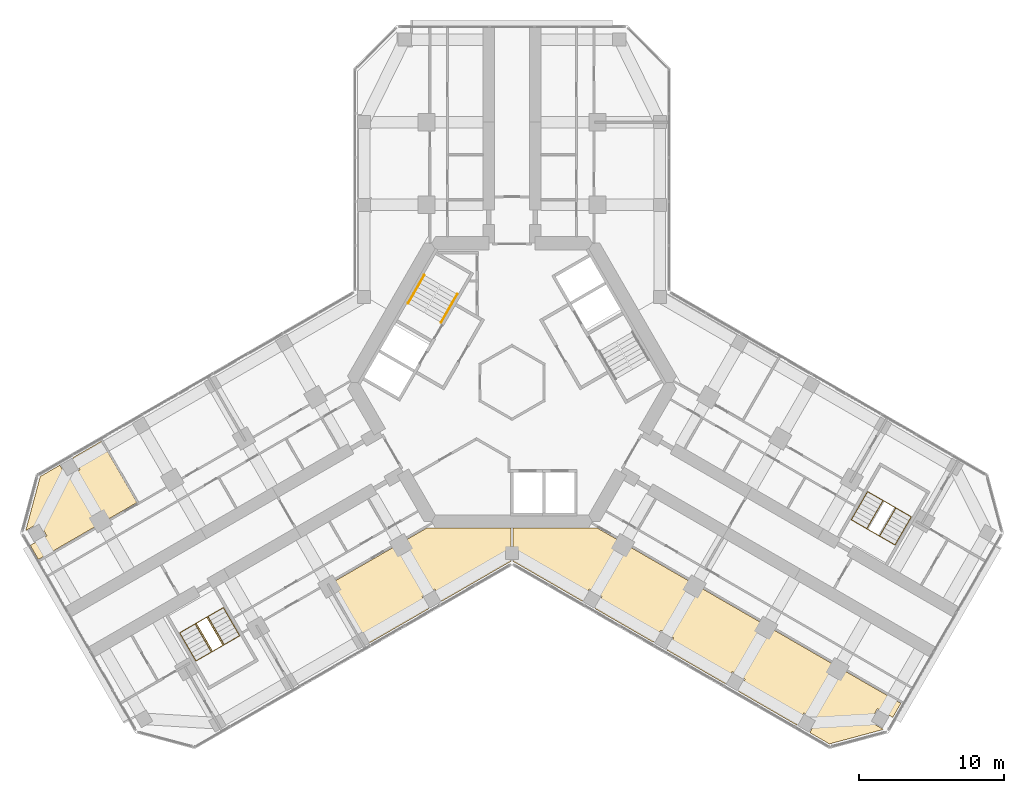
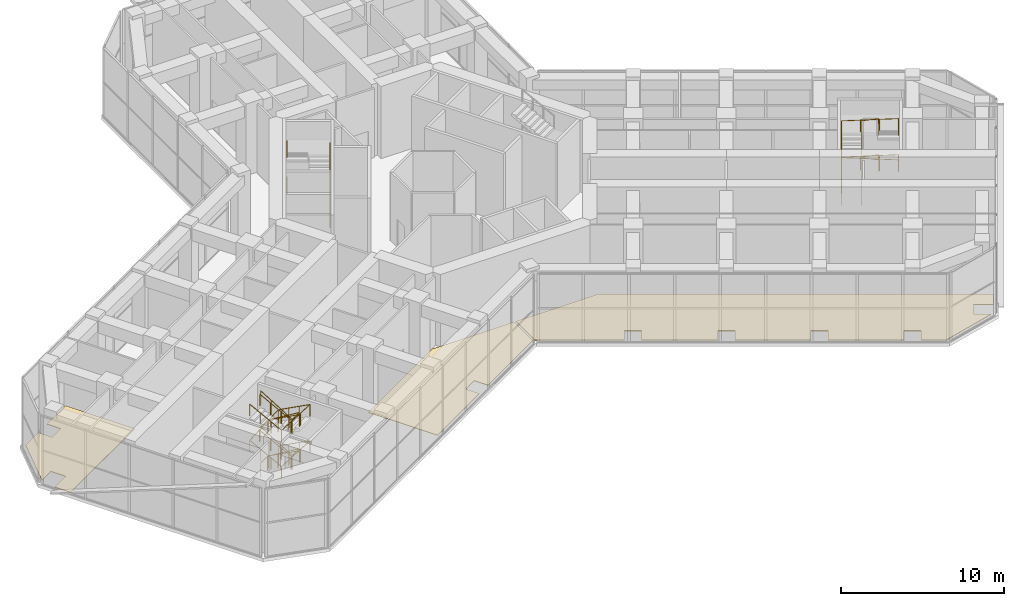
# One storey, part 19 of 20: 9 railings, 3 coverings.
"""IFC4 building model written with IfcOpenShell, lengths in metres."""

import ifcopenshell
import ifcopenshell.guid

model = None  # the IFC model being written
_history = None  # IfcOwnerHistory: only IFC2X3 demands one
_inside = {}  # id of a spatial element -> (the spatial element, [elements in it])
_under = {}  # id of a project, library or spatial element -> (it, [spatial elements below it])
_declared = {}  # id of a project -> (the project, [libraries it declares])
_typed = {}  # id of a type object -> (the type object, [elements of that type])
_made_of = {}  # id of a material, layer set ... -> (it, [elements and type objects made of it])


def new_model(schema):
    """Start an empty IFC model of exactly this schema.

    Asked for "IFC4X3", IfcOpenShell would pick the latest addendum, in which some entities
    have other attributes; the version numbers below select the first issue.
    IFC2X3 requires an IfcOwnerHistory on every rooted entity: one is made here for all.
    """
    global model, _history
    if schema == "IFC4X3":
        model = ifcopenshell.file(schema_version=(4, 3, 0, 0))
    else:
        model = ifcopenshell.file(schema=schema)
    _inside.clear()
    _under.clear()
    _declared.clear()
    _typed.clear()
    _made_of.clear()
    _history = None
    if model.schema == "IFC2X3":
        org = make("IfcOrganization", Name="unknown")
        user = make(
            "IfcPersonAndOrganization",
            ThePerson=make("IfcPerson", FamilyName="unknown"),
            TheOrganization=org,
        )
        app = make(
            "IfcApplication",
            ApplicationDeveloper=org,
            Version="unknown",
            ApplicationFullName="unknown",
            ApplicationIdentifier="unknown",
        )
        _history = make(
            "IfcOwnerHistory",
            OwningUser=user,
            OwningApplication=app,
            ChangeAction="ADDED",
            CreationDate=0,
        )
    return model


def make(cls, **values):
    """One entity of the class cls with the attributes given. An attribute that is None is left unset."""
    return model.create_entity(
        cls, **{name: value for name, value in values.items() if value is not None}
    )


def rooted(cls, **values):
    """An entity with a GlobalId (a new one), such as an element, a storey or a relation."""
    return make(cls, GlobalId=ifcopenshell.guid.new(), OwnerHistory=_history, **values)


def si_unit(unit_type, name, prefix=None):
    """IfcSIUnit, for example si_unit("LENGTHUNIT", "METRE", prefix="MILLI")."""
    return make("IfcSIUnit", UnitType=unit_type, Prefix=prefix, Name=name)


def assignment(units):
    """IfcUnitAssignment: the units of a project."""
    return None if units is None else make("IfcUnitAssignment", Units=units)


def point(xyz):
    """IfcCartesianPoint."""
    return None if xyz is None else make("IfcCartesianPoint", Coordinates=xyz)


def direction(xyz):
    """IfcDirection."""
    return None if xyz is None else make("IfcDirection", DirectionRatios=xyz)


def frame(location, z_axis=None, x_axis=None):
    """IfcAxis2Placement3D, a coordinate frame: its origin and axes. An axis left out is left unset."""
    return make(
        "IfcAxis2Placement3D",
        Location=point(location),
        Axis=direction(z_axis),
        RefDirection=direction(x_axis),
    )


def frame_2d(location, x_axis=None):
    """IfcAxis2Placement2D, a coordinate frame in the plane: its origin and x axis."""
    return make(
        "IfcAxis2Placement2D", Location=point(location), RefDirection=direction(x_axis)
    )


def origin():
    """The frame at (0, 0, 0) with its axes left unset."""
    return frame((0.0, 0.0, 0.0))


def origin_2d():
    """The frame at (0, 0) in the plane with its x axis left unset."""
    return frame_2d((0.0, 0.0))


def place(relative_to, where):
    """IfcLocalPlacement: puts the frame where relative to a parent placement (None: the world)."""
    return make(
        "IfcLocalPlacement", PlacementRelTo=relative_to, RelativePlacement=where
    )


def context(
    kind, dimensions, precision=None, world=None, true_north=None, identifier=None
):
    """IfcGeometricRepresentationContext, for example the 3D "Model" context."""
    return make(
        "IfcGeometricRepresentationContext",
        ContextIdentifier=identifier,
        ContextType=kind,
        CoordinateSpaceDimension=dimensions,
        Precision=precision,
        WorldCoordinateSystem=world,
        TrueNorth=true_north,
    )


def subcontext(parent, identifier, kind, view, scale=None):
    """IfcGeometricRepresentationSubContext, for example "Body" below "Model"."""
    return make(
        "IfcGeometricRepresentationSubContext",
        ContextIdentifier=identifier,
        ContextType=kind,
        ParentContext=parent,
        TargetScale=scale,
        TargetView=view,
    )


def project(units=None, contexts=None):
    """IfcProject with its units and contexts."""
    return rooted(
        "IfcProject",
        Name="project",
        RepresentationContexts=contexts,
        UnitsInContext=assignment(units),
    )


def spatial(cls, under=None, at=None, **own):
    """A site, building, storey or space (cls), placed at a placement, below another one or the project."""
    s = rooted(cls, ObjectPlacement=at, **own)
    if under is not None:
        _under.setdefault(under.id(), (under, []))[1].append(s)
    return s


def polyline(points):
    """IfcPolyline through the points."""
    return make("IfcPolyline", Points=[point(p) for p in points])


def profile(cls, at=None, kind="AREA", **sizes):
    """A parametric profile (cls). Its sizes go by their IFC names, for example OverallWidth=200.0."""
    return make(cls, ProfileType=kind, Position=at, **sizes)


def circle(**sizes):
    """IfcCircleProfileDef."""
    return profile("IfcCircleProfileDef", **sizes)


def outline(outer, holes=None, kind="AREA"):
    """IfcArbitraryClosedProfileDef: a profile drawn as a closed curve; with holes, ...WithVoids."""
    if holes is None:
        return make("IfcArbitraryClosedProfileDef", ProfileType=kind, OuterCurve=outer)
    return make(
        "IfcArbitraryProfileDefWithVoids",
        ProfileType=kind,
        OuterCurve=outer,
        InnerCurves=holes,
    )


def extrude(swept, where, along, depth):
    """IfcExtrudedAreaSolid: the profile swept, set in the frame where, extruded along a direction by depth."""
    return make(
        "IfcExtrudedAreaSolid",
        SweptArea=swept,
        Position=where,
        ExtrudedDirection=direction(along),
        Depth=depth,
    )


def shape(context_of_items, identifier, shape_type, items):
    """IfcShapeRepresentation: the items that make up one representation, for example the "Body"."""
    return make(
        "IfcShapeRepresentation",
        ContextOfItems=context_of_items,
        RepresentationIdentifier=identifier,
        RepresentationType=shape_type,
        Items=items,
    )


def material(Name=None, Category=None):
    """IfcMaterial."""
    return make("IfcMaterial", Name=Name, Category=Category)


def layer(
    of_material, thickness, ventilated=None, Name=None, Category=None, Priority=None
):
    """IfcMaterialLayer: one layer of a wall or slab, of a material (None: an air gap)."""
    return make(
        "IfcMaterialLayer",
        Material=of_material,
        LayerThickness=thickness,
        IsVentilated=ventilated,
        Name=Name,
        Category=Category,
        Priority=Priority,
    )


def layer_set(layers, Name=None):
    """IfcMaterialLayerSet."""
    return make("IfcMaterialLayerSet", MaterialLayers=layers, LayerSetName=Name)


def made_of(thing, what):
    """Note that an element or type object is made of a material, layer set ...; save() writes the relation."""
    if what is not None:
        _made_of.setdefault(what.id(), (what, []))[1].append(thing)
    return thing


def type_object(cls, material=None, **own):
    """A type object (cls), such as IfcWallType, which elements share."""
    return made_of(rooted(cls, **own), material)


def element(
    cls,
    number,
    at=None,
    inside=None,
    cuts=None,
    type_object=None,
    material=None,
    context=None,
    identifier="Body",
    shape_type=None,
    held_by="IfcProductDefinitionShape",
    body=None,
    shapes=None,
    **own,
):
    """One element of the class cls, such as IfcWall. Its Tag is "e" and its number.

    at: its placement. inside: the storey or other place that contains it. cuts: it is an
    opening in that element (IfcRelVoidsElement). A single representation is given by context,
    identifier, shape_type and body (its items); several are given by shapes. held_by: the class
    of the entity that holds the representations. save() writes the other relations.
    """
    e = rooted(cls, Tag="e%d" % number, ObjectPlacement=at, **own)
    if body is not None:
        shapes = [shape(context, identifier, shape_type, body)]
    if shapes is not None:
        e.Representation = make(held_by, Representations=shapes)
    if inside is not None:
        _inside.setdefault(inside.id(), (inside, []))[1].append(e)
    if cuts is not None:
        rooted(
            "IfcRelVoidsElement", RelatingBuildingElement=cuts, RelatedOpeningElement=e
        )
    if type_object is not None:
        _typed.setdefault(type_object.id(), (type_object, []))[1].append(e)
    return made_of(e, material)


def aggregate(whole, parts):
    """IfcRelAggregates: a whole, such as a stair, and the parts it consists of."""
    return rooted("IfcRelAggregates", RelatingObject=whole, RelatedObjects=parts)


def save(model, path):
    """Write the relations noted so far, then the file.

    IfcRelAggregates (storeys below a building ...), IfcRelContainedInSpatialStructure (elements
    in a storey), IfcRelDefinesByType, IfcRelAssociatesMaterial and IfcRelDeclares: one each for
    every whole, place, type object, material and project.
    """
    for whole, parts in _under.values():
        aggregate(whole, parts)
    for where, things in _inside.values():
        rooted(
            "IfcRelContainedInSpatialStructure",
            RelatedElements=things,
            RelatingStructure=where,
        )
    for kind, things in _typed.values():
        rooted("IfcRelDefinesByType", RelatedObjects=things, RelatingType=kind)
    for what, things in _made_of.values():
        rooted("IfcRelAssociatesMaterial", RelatedObjects=things, RelatingMaterial=what)
    for by, libraries in _declared.values():
        rooted("IfcRelDeclares", RelatingContext=by, RelatedDefinitions=libraries)
    model.write(path)


model = new_model("IFC4")

# Units and contexts
model_context = context("Model", 3, precision=1e-05, world=origin(), true_north=direction((0.0, 1.0)))
body_context = subcontext(model_context, "Body", "Model", "MODEL_VIEW")
ifc_project = project(units=[si_unit("LENGTHUNIT", "METRE"), si_unit("AREAUNIT", "SQUARE_METRE"), si_unit("VOLUMEUNIT", "CUBIC_METRE"), si_unit("PLANEANGLEUNIT", "RADIAN"), si_unit("MASSUNIT", "GRAM", prefix="KILO")], contexts=[model_context])

# Site, building, storey
site_placement = place(None, origin())
site = spatial("IfcSite", under=ifc_project, at=site_placement, CompositionType="ELEMENT")
building_placement = place(site_placement, origin())
building = spatial("IfcBuilding", under=site, at=building_placement, Name="Kosmar Iwan School Tower", CompositionType="ELEMENT")
storey_placement = place(building_placement, frame((0.0, 0.0, 152.60009765625)))
storey = spatial("IfcBuildingStorey", under=building, at=storey_placement, Name="L38", CompositionType="ELEMENT", Elevation=152.60009765625)

# Railings
ifc_material_1 = material(Name="Black steel", Category="steel")
railing_type_1 = type_object("IfcRailingType", Name="Stair handrail 900", PredefinedType="HANDRAIL", material=ifc_material_1)
railing_1_placement = place(storey_placement, frame((-4.89453125, 4.142333984375, 0.168701171875)))
element("IfcRailing", 1, at=railing_1_placement, inside=storey, type_object=railing_type_1, Name="Handrail ST2 flight 1", PredefinedType="HANDRAIL", context=body_context, shape_type="SweptSolid", body=[
    extrude(circle(Radius=0.02392578125, at=origin_2d()), frame((0.0, 0.0, 0.8759765625), z_axis=(0.442233264315, 0.766074889524, 0.466432206836), x_axis=(-0.866054910533, 0.49994888933, 0.0)), (0.0, 0.0, 1.0), 2.5322265625),
    extrude(circle(Radius=0.02099609375, at=origin_2d()), origin(), (0.0, 0.0, 1.0), 0.851806640625),
    extrude(circle(Radius=0.02099609375, at=origin_2d()), frame((0.373291015625, 0.646728515625, 0.393798828125)), (0.0, 0.0, 1.0), 0.851806640625),
    extrude(circle(Radius=0.02099609375, at=origin_2d()), frame((0.74658203125, 1.293212890625, 0.787353515625)), (0.0, 0.0, 1.0), 0.851806640625),
    extrude(circle(Radius=0.02099609375, at=origin_2d()), frame((1.119873046875, 1.93994140625, 1.18115234375)), (0.0, 0.0, 1.0), 0.851806640625),
])
railing_2_placement = place(storey_placement, frame((-6.05224609375, 7.397216796875, 1.5185546875)))
element("IfcRailing", 2, at=railing_2_placement, inside=storey, type_object=railing_type_1, Name="Handrail ST2 flight 2", PredefinedType="HANDRAIL", context=body_context, shape_type="SweptSolid", body=[
    extrude(circle(Radius=0.02392578125, at=origin_2d()), frame((0.0, 0.0, 0.8759765625), z_axis=(-0.442290925331, -0.766007779573, 0.466487747968), x_axis=(0.866007717299, -0.500030632641, 0.0)), (0.0, 0.0, 1.0), 2.532470703125),
    extrude(circle(Radius=0.02099609375, at=origin_2d()), origin(), (0.0, 0.0, 1.0), 0.851806640625),
    extrude(circle(Radius=0.02099609375, at=origin_2d()), frame((-0.373291015625, -0.646728515625, 0.393798828125)), (0.0, 0.0, 1.0), 0.851806640625),
    extrude(circle(Radius=0.02099609375, at=origin_2d()), frame((-0.746826171875, -1.293212890625, 0.78759765625)), (0.0, 0.0, 1.0), 0.851806640625),
    extrude(circle(Radius=0.02099609375, at=origin_2d()), frame((-1.1201171875, -1.93994140625, 1.181396484375)), (0.0, 0.0, 1.0), 0.851806640625),
])
railing_3_placement = place(storey_placement, frame((-4.89453125, 4.142333984375, 2.86865234375)))
element("IfcRailing", 3, at=railing_3_placement, inside=storey, type_object=railing_type_1, Name="Handrail ST2 flight 3", PredefinedType="HANDRAIL", context=body_context, shape_type="SweptSolid", body=[
    extrude(circle(Radius=0.02392578125, at=origin_2d()), frame((0.0, 0.0, 0.8759765625), z_axis=(0.442233264315, 0.766074889524, 0.466432206836), x_axis=(-0.866054910533, 0.49994888933, 0.0)), (0.0, 0.0, 1.0), 2.5322265625),
    extrude(circle(Radius=0.02099609375, at=origin_2d()), origin(), (0.0, 0.0, 1.0), 0.851806640625),
    extrude(circle(Radius=0.02099609375, at=origin_2d()), frame((0.373291015625, 0.646728515625, 0.393798828125)), (0.0, 0.0, 1.0), 0.851806640625),
    extrude(circle(Radius=0.02099609375, at=origin_2d()), frame((0.74658203125, 1.293212890625, 0.787353515625)), (0.0, 0.0, 1.0), 0.851806640625),
    extrude(circle(Radius=0.02099609375, at=origin_2d()), frame((1.119873046875, 1.93994140625, 1.18115234375)), (0.0, 0.0, 1.0), 0.851806640625),
])
railing_4_placement = place(storey_placement, frame((-6.05224609375, 7.397216796875, 4.21875)))
element("IfcRailing", 4, at=railing_4_placement, inside=storey, type_object=railing_type_1, Name="Handrail ST2 flight 4", PredefinedType="HANDRAIL", context=body_context, shape_type="SweptSolid", body=[
    extrude(circle(Radius=0.02392578125, at=origin_2d()), frame((0.0, 0.0, 0.8759765625), z_axis=(-0.442310814531, -0.766042225863, 0.466412319246), x_axis=(0.866007717299, -0.500030632641, 0.0)), (0.0, 0.0, 1.0), 2.532470703125),
    extrude(circle(Radius=0.02099609375, at=origin_2d()), origin(), (0.0, 0.0, 1.0), 0.851806640625),
    extrude(circle(Radius=0.02099609375, at=origin_2d()), frame((-0.373291015625, -0.646728515625, 0.393798828125)), (0.0, 0.0, 1.0), 0.851806640625),
    extrude(circle(Radius=0.02099609375, at=origin_2d()), frame((-0.746826171875, -1.293212890625, 0.787353515625)), (0.0, 0.0, 1.0), 0.851806640625),
    extrude(circle(Radius=0.02099609375, at=origin_2d()), frame((-1.1201171875, -1.93994140625, 1.18115234375)), (0.0, 0.0, 1.0), 0.851806640625),
])
railing_5_placement = place(storey_placement, frame((-19.9091796875, -15.5361328125, 0.168701171875)))
element("IfcRailing", 5, at=railing_5_placement, inside=storey, type_object=railing_type_1, Name="Handrail stair WS2 L38 wall side", PredefinedType="HANDRAIL", context=body_context, shape_type="SweptSolid", body=[
    extrude(circle(Radius=0.02392578125, at=origin_2d()), frame((0.0, 0.0, 0.8759765625), z_axis=(0.442233264315, -0.766074889524, 0.466432206836), x_axis=(0.866054910533, 0.49994888933, 0.0)), (0.0, 0.0, 1.0), 2.5322265625),
    extrude(circle(Radius=0.02392578125, at=origin_2d()), frame((1.119873046875, -1.93994140625, 2.05712890625), z_axis=(-0.865003826348, -0.499423385482, 0.048421714518), x_axis=(0.500009906705, -0.86601968407, 0.0)), (0.0, 0.0, 1.0), 3.48388671875),
    extrude(circle(Radius=0.02392578125, at=origin_2d()), frame((-1.893798828125, -3.679931640625, 2.2255859375), z_axis=(-0.442290925331, 0.766007779573, 0.466487747968), x_axis=(-0.866007717299, -0.500030632641, 0.0)), (0.0, 0.0, 1.0), 2.532470703125),
    extrude(circle(Radius=0.02392578125, at=origin_2d()), frame((-3.013916015625, -1.739990234375, 3.4072265625), z_axis=(0.865021467373, 0.499393114457, 0.048418779583), x_axis=(-0.499979528911, 0.866037222451, 0.0)), (0.0, 0.0, 1.0), 3.484130859375),
    extrude(circle(Radius=0.02392578125, at=origin_2d()), frame((0.0, 0.0, 3.57568359375), z_axis=(0.442233264315, -0.766074889524, 0.466432206836), x_axis=(0.866054910533, 0.49994888933, 0.0)), (0.0, 0.0, 1.0), 2.5322265625),
    extrude(circle(Radius=0.02392578125, at=origin_2d()), frame((1.119873046875, -1.93994140625, 4.7568359375), z_axis=(-0.865000889157, -0.499421689649, 0.0484916247), x_axis=(0.500009906705, -0.86601968407, 0.0)), (0.0, 0.0, 1.0), 3.484130859375),
    extrude(circle(Radius=0.02392578125, at=origin_2d()), frame((-1.893798828125, -3.679931640625, 4.92578125), z_axis=(-0.442310814531, 0.766042225863, 0.466412319246), x_axis=(-0.866007717299, -0.500030632641, 0.0)), (0.0, 0.0, 1.0), 2.532470703125),
    extrude(circle(Radius=0.02099609375, at=origin_2d()), origin(), (0.0, 0.0, 1.0), 0.851806640625),
    extrude(circle(Radius=0.02099609375, at=origin_2d()), frame((0.373291015625, -0.646728515625, 0.393798828125)), (0.0, 0.0, 1.0), 0.851806640625),
    extrude(circle(Radius=0.02099609375, at=origin_2d()), frame((0.74658203125, -1.293212890625, 0.787353515625)), (0.0, 0.0, 1.0), 0.851806640625),
    extrude(circle(Radius=0.02099609375, at=origin_2d()), frame((1.119873046875, -1.93994140625, 1.18115234375)), (0.0, 0.0, 1.0), 0.851806640625),
    extrude(circle(Radius=0.02099609375, at=origin_2d()), frame((0.115234375, -2.52001953125, 1.2373046875)), (0.0, 0.0, 1.0), 0.851806640625),
    extrude(circle(Radius=0.02099609375, at=origin_2d()), frame((-0.88916015625, -3.099853515625, 1.293701171875)), (0.0, 0.0, 1.0), 0.851806640625),
    extrude(circle(Radius=0.02099609375, at=origin_2d()), frame((-1.893798828125, -3.679931640625, 1.349853515625)), (0.0, 0.0, 1.0), 0.851806640625),
    extrude(circle(Radius=0.02099609375, at=origin_2d()), frame((-2.26708984375, -3.033203125, 1.74365234375)), (0.0, 0.0, 1.0), 0.851806640625),
    extrude(circle(Radius=0.02099609375, at=origin_2d()), frame((-2.640625, -2.38671875, 2.137451171875)), (0.0, 0.0, 1.0), 0.851806640625),
    extrude(circle(Radius=0.02099609375, at=origin_2d()), frame((-3.013916015625, -1.739990234375, 2.53125)), (0.0, 0.0, 1.0), 0.851806640625),
    extrude(circle(Radius=0.02099609375, at=origin_2d()), frame((-2.00927734375, -1.159912109375, 2.58740234375)), (0.0, 0.0, 1.0), 0.851806640625),
    extrude(circle(Radius=0.02099609375, at=origin_2d()), frame((-1.004638671875, -0.580078125, 2.643798828125)), (0.0, 0.0, 1.0), 0.851806640625),
    extrude(circle(Radius=0.02099609375, at=origin_2d()), frame((0.0, 0.0, 2.699951171875)), (0.0, 0.0, 1.0), 0.851806640625),
    extrude(circle(Radius=0.02099609375, at=origin_2d()), frame((0.373291015625, -0.646728515625, 3.09375)), (0.0, 0.0, 1.0), 0.851806640625),
    extrude(circle(Radius=0.02099609375, at=origin_2d()), frame((0.74658203125, -1.293212890625, 3.4873046875)), (0.0, 0.0, 1.0), 0.851806640625),
    extrude(circle(Radius=0.02099609375, at=origin_2d()), frame((1.119873046875, -1.93994140625, 3.881103515625)), (0.0, 0.0, 1.0), 0.851806640625),
    extrude(circle(Radius=0.02099609375, at=origin_2d()), frame((0.115234375, -2.52001953125, 3.9375)), (0.0, 0.0, 1.0), 0.851806640625),
    extrude(circle(Radius=0.02099609375, at=origin_2d()), frame((-0.88916015625, -3.099853515625, 3.99365234375)), (0.0, 0.0, 1.0), 0.851806640625),
    extrude(circle(Radius=0.02099609375, at=origin_2d()), frame((-1.893798828125, -3.679931640625, 4.050048828125)), (0.0, 0.0, 1.0), 0.851806640625),
    extrude(circle(Radius=0.02099609375, at=origin_2d()), frame((-2.26708984375, -3.033203125, 4.44384765625)), (0.0, 0.0, 1.0), 0.851806640625),
    extrude(circle(Radius=0.02099609375, at=origin_2d()), frame((-2.640625, -2.38671875, 4.83740234375)), (0.0, 0.0, 1.0), 0.851806640625),
    extrude(circle(Radius=0.02099609375, at=origin_2d()), frame((-3.013916015625, -1.739990234375, 5.231201171875)), (0.0, 0.0, 1.0), 0.851806640625),
])
railing_6_placement = place(storey_placement, frame((-20.974609375, -16.151123046875, 0.168701171875)))
element("IfcRailing", 6, at=railing_6_placement, inside=storey, type_object=railing_type_1, Name="Handrail stair WS2 L38 well side", PredefinedType="HANDRAIL", context=body_context, shape_type="SweptSolid", body=[
    extrude(circle(Radius=0.02392578125, at=origin_2d()), frame((0.0, 0.0, 0.8759765625), z_axis=(0.442310814531, -0.766042225863, 0.466412319246), x_axis=(0.866007717299, 0.500030632641, 0.0)), (0.0, 0.0, 1.0), 2.532470703125),
    extrude(circle(Radius=0.02392578125, at=origin_2d()), frame((1.1201171875, -1.93994140625, 2.05712890625), z_axis=(-0.854402202795, -0.493323991608, 0.163181846913), x_axis=(0.500026340207, -0.866010195725, 0.0)), (0.0, 0.0, 1.0), 1.033935546875),
    extrude(circle(Radius=0.02392578125, at=origin_2d()), frame((0.23681640625, -2.449951171875, 2.2255859375), z_axis=(-0.442290925331, 0.766007779573, 0.466487747968), x_axis=(-0.866007717299, -0.500030632641, 0.0)), (0.0, 0.0, 1.0), 2.532470703125),
    extrude(circle(Radius=0.02392578125, at=origin_2d()), frame((-0.88330078125, -0.510009765625, 3.4072265625), z_axis=(0.854402202795, 0.493323991608, 0.163181846913), x_axis=(-0.500026340207, 0.866010195725, 0.0)), (0.0, 0.0, 1.0), 1.033935546875),
    extrude(circle(Radius=0.02392578125, at=origin_2d()), frame((0.0, 0.0, 3.57568359375), z_axis=(0.442310814531, -0.766042225863, 0.466412319246), x_axis=(0.866007717299, 0.500030632641, 0.0)), (0.0, 0.0, 1.0), 2.532470703125),
    extrude(circle(Radius=0.02392578125, at=origin_2d()), frame((1.1201171875, -1.93994140625, 4.7568359375), z_axis=(-0.854369255709, -0.493304968263, 0.163411698439), x_axis=(0.500026340207, -0.866010195725, 0.0)), (0.0, 0.0, 1.0), 1.033935546875),
    extrude(circle(Radius=0.02392578125, at=origin_2d()), frame((0.23681640625, -2.449951171875, 4.92578125), z_axis=(-0.442310814531, 0.766042225863, 0.466412319246), x_axis=(-0.866007717299, -0.500030632641, 0.0)), (0.0, 0.0, 1.0), 2.532470703125),
    extrude(circle(Radius=0.02099609375, at=origin_2d()), origin(), (0.0, 0.0, 1.0), 0.851806640625),
    extrude(circle(Radius=0.02099609375, at=origin_2d()), frame((0.373291015625, -0.646728515625, 0.393798828125)), (0.0, 0.0, 1.0), 0.851806640625),
    extrude(circle(Radius=0.02099609375, at=origin_2d()), frame((0.746826171875, -1.293212890625, 0.787353515625)), (0.0, 0.0, 1.0), 0.851806640625),
    extrude(circle(Radius=0.02099609375, at=origin_2d()), frame((1.1201171875, -1.93994140625, 1.18115234375)), (0.0, 0.0, 1.0), 0.851806640625),
    extrude(circle(Radius=0.02099609375, at=origin_2d()), frame((0.23681640625, -2.449951171875, 1.349853515625)), (0.0, 0.0, 1.0), 0.851806640625),
    extrude(circle(Radius=0.02099609375, at=origin_2d()), frame((-0.136474609375, -1.80322265625, 1.74365234375)), (0.0, 0.0, 1.0), 0.851806640625),
    extrude(circle(Radius=0.02099609375, at=origin_2d()), frame((-0.510009765625, -1.15673828125, 2.137451171875)), (0.0, 0.0, 1.0), 0.851806640625),
    extrude(circle(Radius=0.02099609375, at=origin_2d()), frame((-0.88330078125, -0.510009765625, 2.53125)), (0.0, 0.0, 1.0), 0.851806640625),
    extrude(circle(Radius=0.02099609375, at=origin_2d()), frame((0.0, 0.0, 2.699951171875)), (0.0, 0.0, 1.0), 0.851806640625),
    extrude(circle(Radius=0.02099609375, at=origin_2d()), frame((0.373291015625, -0.646728515625, 3.09375)), (0.0, 0.0, 1.0), 0.851806640625),
    extrude(circle(Radius=0.02099609375, at=origin_2d()), frame((0.746826171875, -1.293212890625, 3.4873046875)), (0.0, 0.0, 1.0), 0.851806640625),
    extrude(circle(Radius=0.02099609375, at=origin_2d()), frame((1.1201171875, -1.93994140625, 3.881103515625)), (0.0, 0.0, 1.0), 0.851806640625),
    extrude(circle(Radius=0.02099609375, at=origin_2d()), frame((0.23681640625, -2.449951171875, 4.050048828125)), (0.0, 0.0, 1.0), 0.851806640625),
    extrude(circle(Radius=0.02099609375, at=origin_2d()), frame((-0.136474609375, -1.80322265625, 4.44384765625)), (0.0, 0.0, 1.0), 0.851806640625),
    extrude(circle(Radius=0.02099609375, at=origin_2d()), frame((-0.510009765625, -1.15673828125, 4.83740234375)), (0.0, 0.0, 1.0), 0.851806640625),
    extrude(circle(Radius=0.02099609375, at=origin_2d()), frame((-0.88330078125, -0.510009765625, 5.231201171875)), (0.0, 0.0, 1.0), 0.851806640625),
])
railing_7_placement = place(storey_placement, frame((23.4091796875, -9.473876953125, 0.168701171875)))
element("IfcRailing", 7, at=railing_7_placement, inside=storey, type_object=railing_type_1, Name="Handrail stair WS3 L38 wall side", PredefinedType="HANDRAIL", context=body_context, shape_type="SweptSolid", body=[
    extrude(circle(Radius=0.02392578125, at=origin_2d()), frame((0.0, 0.0, 0.8759765625), z_axis=(0.442310814531, 0.766042225863, 0.466412319246), x_axis=(-0.866007717299, 0.500030632641, 0.0)), (0.0, 0.0, 1.0), 2.532470703125),
    extrude(circle(Radius=0.02392578125, at=origin_2d()), frame((1.1201171875, 1.93994140625, 2.05712890625), z_axis=(0.865003826348, -0.499423385482, 0.048421714518), x_axis=(0.500009906705, 0.86601968407, 0.0)), (0.0, 0.0, 1.0), 3.48388671875),
    extrude(circle(Radius=0.02392578125, at=origin_2d()), frame((4.1337890625, 0.199951171875, 2.2255859375), z_axis=(-0.442213376907, -0.766040438827, 0.466507636985), x_axis=(0.866054910533, -0.49994888933, 0.0)), (0.0, 0.0, 1.0), 2.532470703125),
    extrude(circle(Radius=0.02392578125, at=origin_2d()), frame((3.013916015625, -1.739990234375, 3.4072265625), z_axis=(-0.865021467373, 0.499393114457, 0.048418779583), x_axis=(-0.499979528911, -0.866037222451, 0.0)), (0.0, 0.0, 1.0), 3.484130859375),
    extrude(circle(Radius=0.02392578125, at=origin_2d()), frame((0.0, 0.0, 3.57568359375), z_axis=(0.442310814531, 0.766042225863, 0.466412319246), x_axis=(-0.866007717299, 0.500030632641, 0.0)), (0.0, 0.0, 1.0), 2.532470703125),
    extrude(circle(Radius=0.02392578125, at=origin_2d()), frame((1.1201171875, 1.93994140625, 4.7568359375), z_axis=(0.865000889157, -0.499421689649, 0.0484916247), x_axis=(0.500009906705, 0.86601968407, 0.0)), (0.0, 0.0, 1.0), 3.484130859375),
    extrude(circle(Radius=0.02392578125, at=origin_2d()), frame((4.1337890625, 0.199951171875, 4.92578125), z_axis=(-0.442233264315, -0.766074889524, 0.466432206836), x_axis=(0.866054910533, -0.49994888933, 0.0)), (0.0, 0.0, 1.0), 2.5322265625),
    extrude(circle(Radius=0.02099609375, at=origin_2d()), origin(), (0.0, 0.0, 1.0), 0.851806640625),
    extrude(circle(Radius=0.02099609375, at=origin_2d()), frame((0.373291015625, 0.646728515625, 0.393798828125)), (0.0, 0.0, 1.0), 0.851806640625),
    extrude(circle(Radius=0.02099609375, at=origin_2d()), frame((0.746826171875, 1.293212890625, 0.787353515625)), (0.0, 0.0, 1.0), 0.851806640625),
    extrude(circle(Radius=0.02099609375, at=origin_2d()), frame((1.1201171875, 1.93994140625, 1.18115234375)), (0.0, 0.0, 1.0), 0.851806640625),
    extrude(circle(Radius=0.02099609375, at=origin_2d()), frame((2.124755859375, 1.35986328125, 1.2373046875)), (0.0, 0.0, 1.0), 0.851806640625),
    extrude(circle(Radius=0.02099609375, at=origin_2d()), frame((3.129150390625, 0.780029296875, 1.293701171875)), (0.0, 0.0, 1.0), 0.851806640625),
    extrude(circle(Radius=0.02099609375, at=origin_2d()), frame((4.1337890625, 0.199951171875, 1.349853515625)), (0.0, 0.0, 1.0), 0.851806640625),
    extrude(circle(Radius=0.02099609375, at=origin_2d()), frame((3.760498046875, -0.44677734375, 1.74365234375)), (0.0, 0.0, 1.0), 0.851806640625),
    extrude(circle(Radius=0.02099609375, at=origin_2d()), frame((3.38720703125, -1.09326171875, 2.137451171875)), (0.0, 0.0, 1.0), 0.851806640625),
    extrude(circle(Radius=0.02099609375, at=origin_2d()), frame((3.013916015625, -1.739990234375, 2.53125)), (0.0, 0.0, 1.0), 0.851806640625),
    extrude(circle(Radius=0.02099609375, at=origin_2d()), frame((2.00927734375, -1.159912109375, 2.58740234375)), (0.0, 0.0, 1.0), 0.851806640625),
    extrude(circle(Radius=0.02099609375, at=origin_2d()), frame((1.004638671875, -0.580078125, 2.643798828125)), (0.0, 0.0, 1.0), 0.851806640625),
    extrude(circle(Radius=0.02099609375, at=origin_2d()), frame((0.0, 0.0, 2.699951171875)), (0.0, 0.0, 1.0), 0.851806640625),
    extrude(circle(Radius=0.02099609375, at=origin_2d()), frame((0.373291015625, 0.646728515625, 3.09375)), (0.0, 0.0, 1.0), 0.851806640625),
    extrude(circle(Radius=0.02099609375, at=origin_2d()), frame((0.746826171875, 1.293212890625, 3.4873046875)), (0.0, 0.0, 1.0), 0.851806640625),
    extrude(circle(Radius=0.02099609375, at=origin_2d()), frame((1.1201171875, 1.93994140625, 3.881103515625)), (0.0, 0.0, 1.0), 0.851806640625),
    extrude(circle(Radius=0.02099609375, at=origin_2d()), frame((2.124755859375, 1.35986328125, 3.9375)), (0.0, 0.0, 1.0), 0.851806640625),
    extrude(circle(Radius=0.02099609375, at=origin_2d()), frame((3.129150390625, 0.780029296875, 3.99365234375)), (0.0, 0.0, 1.0), 0.851806640625),
    extrude(circle(Radius=0.02099609375, at=origin_2d()), frame((4.1337890625, 0.199951171875, 4.050048828125)), (0.0, 0.0, 1.0), 0.851806640625),
    extrude(circle(Radius=0.02099609375, at=origin_2d()), frame((3.760498046875, -0.44677734375, 4.44384765625)), (0.0, 0.0, 1.0), 0.851806640625),
    extrude(circle(Radius=0.02099609375, at=origin_2d()), frame((3.38720703125, -1.09326171875, 4.83740234375)), (0.0, 0.0, 1.0), 0.851806640625),
    extrude(circle(Radius=0.02099609375, at=origin_2d()), frame((3.013916015625, -1.739990234375, 5.231201171875)), (0.0, 0.0, 1.0), 0.851806640625),
])
railing_8_placement = place(storey_placement, frame((24.474609375, -10.0888671875, 0.168701171875)))
element("IfcRailing", 8, at=railing_8_placement, inside=storey, type_object=railing_type_1, Name="Handrail stair WS3 L38 well side", PredefinedType="HANDRAIL", context=body_context, shape_type="SweptSolid", body=[
    extrude(circle(Radius=0.02392578125, at=origin_2d()), frame((0.0, 0.0, 0.8759765625), z_axis=(0.442233264315, 0.766074889524, 0.466432206836), x_axis=(-0.866054910533, 0.49994888933, 0.0)), (0.0, 0.0, 1.0), 2.5322265625),
    extrude(circle(Radius=0.02392578125, at=origin_2d()), frame((1.119873046875, 1.93994140625, 2.05712890625), z_axis=(0.854402202795, -0.493323991608, 0.163181846913), x_axis=(0.500026340207, 0.866010195725, 0.0)), (0.0, 0.0, 1.0), 1.033935546875),
    extrude(circle(Radius=0.02392578125, at=origin_2d()), frame((2.003173828125, 1.429931640625, 2.2255859375), z_axis=(-0.442213376907, -0.766040438827, 0.466507636985), x_axis=(0.866054910533, -0.49994888933, 0.0)), (0.0, 0.0, 1.0), 2.532470703125),
    extrude(circle(Radius=0.02392578125, at=origin_2d()), frame((0.88330078125, -0.510009765625, 3.4072265625), z_axis=(-0.854402202795, 0.493323991608, 0.163181846913), x_axis=(-0.500026340207, -0.866010195725, 0.0)), (0.0, 0.0, 1.0), 1.033935546875),
    extrude(circle(Radius=0.02392578125, at=origin_2d()), frame((0.0, 0.0, 3.57568359375), z_axis=(0.442233264315, 0.766074889524, 0.466432206836), x_axis=(-0.866054910533, 0.49994888933, 0.0)), (0.0, 0.0, 1.0), 2.5322265625),
    extrude(circle(Radius=0.02392578125, at=origin_2d()), frame((1.119873046875, 1.93994140625, 4.7568359375), z_axis=(0.854369255709, -0.493304968263, 0.163411698439), x_axis=(0.500026340207, 0.866010195725, 0.0)), (0.0, 0.0, 1.0), 1.033935546875),
    extrude(circle(Radius=0.02392578125, at=origin_2d()), frame((2.003173828125, 1.429931640625, 4.92578125), z_axis=(-0.442233264315, -0.766074889524, 0.466432206836), x_axis=(0.866054910533, -0.49994888933, 0.0)), (0.0, 0.0, 1.0), 2.5322265625),
    extrude(circle(Radius=0.02099609375, at=origin_2d()), origin(), (0.0, 0.0, 1.0), 0.851806640625),
    extrude(circle(Radius=0.02099609375, at=origin_2d()), frame((0.373291015625, 0.646728515625, 0.393798828125)), (0.0, 0.0, 1.0), 0.851806640625),
    extrude(circle(Radius=0.02099609375, at=origin_2d()), frame((0.74658203125, 1.293212890625, 0.787353515625)), (0.0, 0.0, 1.0), 0.851806640625),
    extrude(circle(Radius=0.02099609375, at=origin_2d()), frame((1.119873046875, 1.93994140625, 1.18115234375)), (0.0, 0.0, 1.0), 0.851806640625),
    extrude(circle(Radius=0.02099609375, at=origin_2d()), frame((2.003173828125, 1.429931640625, 1.349853515625)), (0.0, 0.0, 1.0), 0.851806640625),
    extrude(circle(Radius=0.02099609375, at=origin_2d()), frame((1.6298828125, 0.783203125, 1.74365234375)), (0.0, 0.0, 1.0), 0.851806640625),
    extrude(circle(Radius=0.02099609375, at=origin_2d()), frame((1.256591796875, 0.13671875, 2.137451171875)), (0.0, 0.0, 1.0), 0.851806640625),
    extrude(circle(Radius=0.02099609375, at=origin_2d()), frame((0.88330078125, -0.510009765625, 2.53125)), (0.0, 0.0, 1.0), 0.851806640625),
    extrude(circle(Radius=0.02099609375, at=origin_2d()), frame((0.0, 0.0, 2.699951171875)), (0.0, 0.0, 1.0), 0.851806640625),
    extrude(circle(Radius=0.02099609375, at=origin_2d()), frame((0.373291015625, 0.646728515625, 3.09375)), (0.0, 0.0, 1.0), 0.851806640625),
    extrude(circle(Radius=0.02099609375, at=origin_2d()), frame((0.74658203125, 1.293212890625, 3.4873046875)), (0.0, 0.0, 1.0), 0.851806640625),
    extrude(circle(Radius=0.02099609375, at=origin_2d()), frame((1.119873046875, 1.93994140625, 3.881103515625)), (0.0, 0.0, 1.0), 0.851806640625),
    extrude(circle(Radius=0.02099609375, at=origin_2d()), frame((2.003173828125, 1.429931640625, 4.050048828125)), (0.0, 0.0, 1.0), 0.851806640625),
    extrude(circle(Radius=0.02099609375, at=origin_2d()), frame((1.6298828125, 0.783203125, 4.44384765625)), (0.0, 0.0, 1.0), 0.851806640625),
    extrude(circle(Radius=0.02099609375, at=origin_2d()), frame((1.256591796875, 0.13671875, 4.83740234375)), (0.0, 0.0, 1.0), 0.851806640625),
    extrude(circle(Radius=0.02099609375, at=origin_2d()), frame((0.88330078125, -0.510009765625, 5.231201171875)), (0.0, 0.0, 1.0), 0.851806640625),
])
ifc_material_2 = material(Name="Black steel", Category="steel")
railing_type_2 = type_object("IfcRailingType", Name="Stair well guard 1100", PredefinedType="GUARDRAIL", material=ifc_material_2)
railing_9_placement = place(storey_placement, frame((-21.780029296875, -16.6162109375, 0.0)))
element("IfcRailing", 9, at=railing_9_placement, inside=storey, type_object=railing_type_2, Name="Stair WS2 L38 well guard", PredefinedType="GUARDRAIL", context=body_context, shape_type="SweptSolid", body=[
    extrude(circle(Radius=0.02392578125, at=origin_2d()), frame((0.0, 0.0, 1.076171875), z_axis=(0.865962960534, 0.500108139288, 0.0), x_axis=(-0.500108139288, 0.865962960534, 0.0)), (0.0, 0.0, 1.0), 0.840087890625),
    extrude(circle(Radius=0.02392578125, at=origin_2d()), frame((0.7275390625, 0.420166015625, 1.076171875), z_axis=(0.428283137791, -0.741747561657, 0.51612412137), x_axis=(0.866007717299, 0.500030632641, 0.0)), (0.0, 0.0, 1.0), 2.615478515625),
    extrude(circle(Radius=0.02392578125, at=origin_2d()), frame((1.84765625, -1.519775390625, 2.42578125), z_axis=(-0.866088799389, -0.499890179513, 0.0), x_axis=(0.499890179513, -0.866088799389, 0.0)), (0.0, 0.0, 1.0), 0.840087890625),
    extrude(circle(Radius=0.02392578125, at=origin_2d()), frame((1.1201171875, -1.939697265625, 2.42578125), z_axis=(-0.42829215468, 0.741669827579, 0.516228338139), x_axis=(-0.865980463445, -0.500077830873, 0.0)), (0.0, 0.0, 1.0), 2.615234375),
    extrude(circle(Radius=0.02392578125, at=origin_2d()), frame((0.0, 0.0, 3.77587890625), z_axis=(0.865962960534, 0.500108139288, 0.0), x_axis=(-0.500108139288, 0.865962960534, 0.0)), (0.0, 0.0, 1.0), 0.840087890625),
    extrude(circle(Radius=0.02392578125, at=origin_2d()), frame((0.7275390625, 0.420166015625, 3.77587890625), z_axis=(0.428283137791, -0.741747561657, 0.51612412137), x_axis=(0.866007717299, 0.500030632641, 0.0)), (0.0, 0.0, 1.0), 2.615478515625),
    extrude(circle(Radius=0.02392578125, at=origin_2d()), frame((1.84765625, -1.519775390625, 5.1259765625), z_axis=(-0.866088799389, -0.499890179513, 0.0), x_axis=(0.499890179513, -0.866088799389, 0.0)), (0.0, 0.0, 1.0), 0.840087890625),
    extrude(circle(Radius=0.02392578125, at=origin_2d()), frame((1.1201171875, -1.939697265625, 5.1259765625), z_axis=(-0.42829215468, 0.741669827579, 0.516228338139), x_axis=(-0.865980463445, -0.500077830873, 0.0)), (0.0, 0.0, 1.0), 2.615234375),
    extrude(circle(Radius=0.02099609375, at=origin_2d()), origin(), (0.0, 0.0, 1.0), 1.052001953125),
    extrude(circle(Radius=0.02099609375, at=origin_2d()), frame((0.7275390625, 0.420166015625, 0.0)), (0.0, 0.0, 1.0), 1.052001953125),
    extrude(circle(Radius=0.02099609375, at=origin_2d()), frame((1.100830078125, -0.2265625, 0.449951171875)), (0.0, 0.0, 1.0), 1.052001953125),
    extrude(circle(Radius=0.02099609375, at=origin_2d()), frame((1.474365234375, -0.873046875, 0.89990234375)), (0.0, 0.0, 1.0), 1.052001953125),
    extrude(circle(Radius=0.02099609375, at=origin_2d()), frame((1.84765625, -1.519775390625, 1.349853515625)), (0.0, 0.0, 1.0), 1.052001953125),
    extrude(circle(Radius=0.02099609375, at=origin_2d()), frame((1.1201171875, -1.939697265625, 1.349853515625)), (0.0, 0.0, 1.0), 1.052001953125),
    extrude(circle(Radius=0.02099609375, at=origin_2d()), frame((0.746826171875, -1.293212890625, 1.7998046875)), (0.0, 0.0, 1.0), 1.052001953125),
    extrude(circle(Radius=0.02099609375, at=origin_2d()), frame((0.373291015625, -0.646484375, 2.25)), (0.0, 0.0, 1.0), 1.052001953125),
    extrude(circle(Radius=0.02099609375, at=origin_2d()), frame((0.0, 0.0, 2.699951171875)), (0.0, 0.0, 1.0), 1.052001953125),
    extrude(circle(Radius=0.02099609375, at=origin_2d()), frame((0.7275390625, 0.420166015625, 2.699951171875)), (0.0, 0.0, 1.0), 1.052001953125),
    extrude(circle(Radius=0.02099609375, at=origin_2d()), frame((1.100830078125, -0.2265625, 3.14990234375)), (0.0, 0.0, 1.0), 1.052001953125),
    extrude(circle(Radius=0.02099609375, at=origin_2d()), frame((1.474365234375, -0.873046875, 3.599853515625)), (0.0, 0.0, 1.0), 1.052001953125),
    extrude(circle(Radius=0.02099609375, at=origin_2d()), frame((1.84765625, -1.519775390625, 4.0498046875)), (0.0, 0.0, 1.0), 1.052001953125),
    extrude(circle(Radius=0.02099609375, at=origin_2d()), frame((1.1201171875, -1.939697265625, 4.0498046875)), (0.0, 0.0, 1.0), 1.052001953125),
    extrude(circle(Radius=0.02099609375, at=origin_2d()), frame((0.746826171875, -1.293212890625, 4.499755859375)), (0.0, 0.0, 1.0), 1.052001953125),
    extrude(circle(Radius=0.02099609375, at=origin_2d()), frame((0.373291015625, -0.646484375, 4.949951171875)), (0.0, 0.0, 1.0), 1.052001953125),
    extrude(circle(Radius=0.02099609375, at=origin_2d()), frame((0.0, 0.0, 5.39990234375)), (0.0, 0.0, 1.0), 1.052001953125),
])

# Coverings
ifc_material_3 = material(Name="Honed limestone on mortar bed", Category="masonry")
ifc_layer = layer(ifc_material_3, 0.0400390625)
ifc_layer_set = layer_set([ifc_layer], Name="Winter garden stone flooring 40")
covering_type = type_object("IfcCoveringType", Name="Winter garden stone flooring 40", PredefinedType="FLOORING", material=ifc_layer_set)
covering_1_placement = place(storey_placement, origin())
element("IfcCovering", 10, at=covering_1_placement, inside=storey, type_object=covering_type, Name="Winter garden flooring L38-BL1-F1", PredefinedType="FLOORING", context=body_context, shape_type="SweptSolid", body=[
    extrude(outline(polyline([(-10.1767578125, -18.173095703125), (-5.734130859375, -15.608154296875), (-6.21923828125, -14.76806640625), (-5.318359375, -14.248046875), (-4.83349609375, -15.088134765625), (-0.0654296875, -12.33544921875), (-0.0625, -10.050048828125), (-5.802490234375, -10.050048828125), (-5.823486328125, -10.013427734375), (-12.621826171875, -13.938232421875), (-10.1767578125, -18.173095703125)])), origin(), (0.0, 0.0, 1.0), 0.039794921875),
])
covering_2_placement = place(storey_placement, origin())
element("IfcCovering", 11, at=covering_2_placement, inside=storey, type_object=covering_type, Name="Winter garden flooring L38-BR1-F3", PredefinedType="FLOORING", context=body_context, shape_type="SweptSolid", body=[
    extrude(outline(polyline([(-32.67138671875, -12.211669921875), (-25.873046875, -8.28662109375), (-28.31787109375, -4.0517578125), (-30.29248046875, -5.19189453125), (-29.8076171875, -6.031982421875), (-30.708251953125, -6.5517578125), (-31.193115234375, -5.7119140625), (-32.54345703125, -6.491455078125), (-33.542724609375, -10.220703125), (-32.608154296875, -9.68115234375), (-32.088134765625, -10.581787109375), (-33.231201171875, -11.24169921875), (-32.67138671875, -12.211669921875)])), origin(), (0.0, 0.0, 1.0), 0.039794921875),
])
covering_3_placement = place(storey_placement, origin())
element("IfcCovering", 12, at=covering_3_placement, inside=storey, type_object=covering_type, Name="Winter garden flooring L38-CR1-F1", PredefinedType="FLOORING", context=body_context, shape_type="SweptSolid", body=[
    extrude(outline(polyline([(21.8935546875, -24.937744140625), (25.622802734375, -23.9384765625), (24.688232421875, -23.39892578125), (25.2080078125, -22.498291015625), (26.2646484375, -23.108154296875), (26.82470703125, -22.138427734375), (5.823486328125, -10.013427734375), (5.802490234375, -10.050048828125), (0.0625, -10.050048828125), (0.0654296875, -12.33544921875), (4.83349609375, -15.088134765625), (5.318359375, -14.248046875), (6.21923828125, -14.76806640625), (5.734130859375, -15.608154296875), (9.769775390625, -17.938232421875), (10.2548828125, -17.09814453125), (11.155517578125, -17.6181640625), (10.67041015625, -18.458251953125), (14.7060546875, -20.7880859375), (15.191162109375, -19.9482421875), (16.091796875, -20.468017578125), (15.60693359375, -21.30810546875), (19.642578125, -23.63818359375), (20.12744140625, -22.798095703125), (21.028076171875, -23.318115234375), (20.543212890625, -24.158203125), (21.8935546875, -24.937744140625)])), origin(), (0.0, 0.0, 1.0), 0.039794921875),
])

save(model, "model.ifc")
